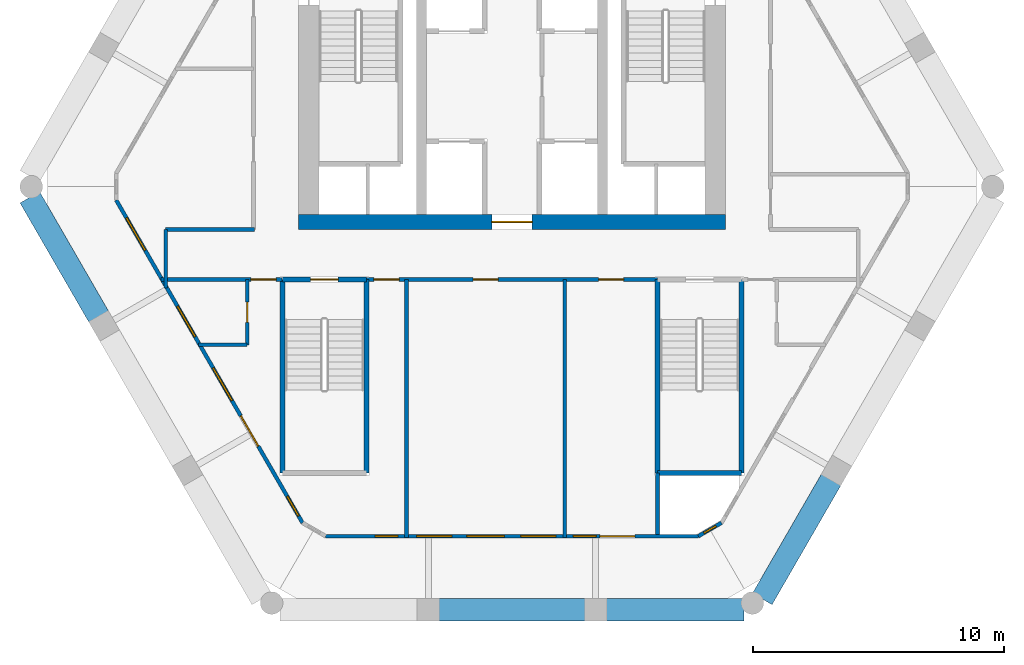
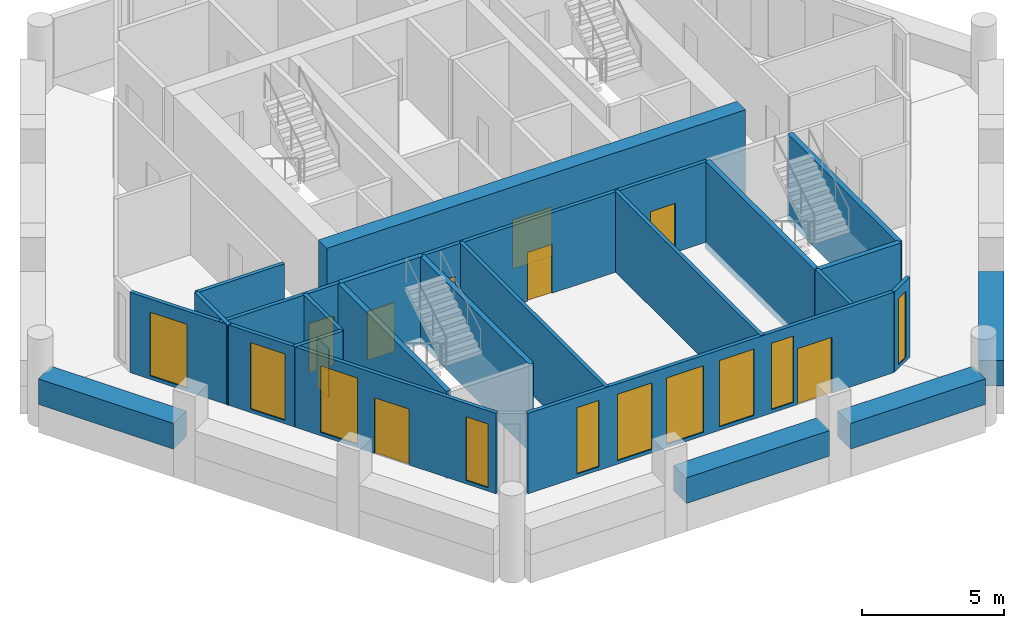
# One storey, part 2 of 6: 23 walls, 10 windows, 9 doors, 19 openings.
"""IFC4 building model written with IfcOpenShell, lengths in metres."""

from ifc_helpers import new_model, si_unit, direction, frame, frame_2d, origin, place, context, subcontext, project, spatial, rectangle, extrude, material, layer, layer_set, type_object, element, fill, save


model = new_model("IFC4")

# Units and contexts
model_context = context("Model", 3, precision=1e-05, world=origin(), true_north=direction((0.0, 1.0)))
body_context = subcontext(model_context, "Body", "Model", "MODEL_VIEW")
ifc_project = project(units=[si_unit("LENGTHUNIT", "METRE"), si_unit("AREAUNIT", "SQUARE_METRE"), si_unit("VOLUMEUNIT", "CUBIC_METRE"), si_unit("PLANEANGLEUNIT", "RADIAN"), si_unit("MASSUNIT", "GRAM", prefix="KILO")], contexts=[model_context])

# Site, building, storey
site_placement = place(None, origin())
site = spatial("IfcSite", under=ifc_project, at=site_placement, CompositionType="ELEMENT")
building_placement = place(site_placement, origin())
building = spatial("IfcBuilding", under=site, at=building_placement, Name="Ostrander Bayou Hotel Tower", CompositionType="ELEMENT")
storey_placement = place(building_placement, frame((0.0, 0.0, 218.25)))
storey = spatial("IfcBuildingStorey", under=building, at=storey_placement, Name="L54", CompositionType="ELEMENT", Elevation=218.25)

# Wall, opening, door
ifc_material_1 = material(Name="Concrete f'c 60 MPa", Category="concrete")
ifc_layer_1 = layer(ifc_material_1, 0.60009765625)
ifc_layer_set_1 = layer_set([ifc_layer_1], Name="CW10 core wall 600 mm f'c 60 MPa")
wall_type_1 = type_object("IfcWallType", Name="CW10 core wall 600 mm f'c 60 MPa", PredefinedType="SHEAR", material=ifc_layer_set_1)
wall_1_placement = place(storey_placement, frame((-8.5, -1.39990234375, -0.300048828125), z_axis=(0.0, 0.0, 1.0), x_axis=(1.0, 0.0, 0.0)))
wall_1 = element("IfcWall", 1, at=wall_1_placement, inside=storey, type_object=wall_type_1, Name="CW10 L54 S", PredefinedType="SHEAR", context=body_context, shape_type="SweptSolid", body=[
    extrude(rectangle(XDim=17.0, YDim=0.60009765625, at=frame_2d((8.5, 0.0))), origin(), (0.0, 0.0, 1.0), 3.75),
])
opening_1_placement = place(wall_1_placement, frame((7.699951171875, 0.0, 0.0)))
opening_1 = element("IfcOpeningElement", 2, at=opening_1_placement, cuts=wall_1, Name="Opening T53-005", PredefinedType="OPENING", context=body_context, shape_type="SweptSolid", body=[
    extrude(rectangle(XDim=1.60009765625, YDim=2.10009765625, at=frame_2d((0.800048828125, 1.050048828125))), frame((0.0, 0.300048828125, 0.0), z_axis=(0.0, -1.0, 0.0), x_axis=(1.0, 0.0, 0.0)), (0.0, 0.0, 1.0), 0.60009765625),
])
ifc_material_2 = material(Name="Timber door leaf", Category="wood")
door_type_1 = type_object("IfcDoorType", Name="D13 double door 1600 x 2100 mm, 1 hour", OperationType="SINGLE_SWING_LEFT", PredefinedType="DOOR", material=ifc_material_2)
door_1_placement = place(opening_1_placement, origin())
door_1 = element("IfcDoor", 3, at=door_1_placement, inside=storey, type_object=door_type_1, Name="dr:L54:005", OperationType="DOUBLE_DOOR_SINGLE_SWING", OverallHeight=2.10009765625, OverallWidth=1.60009765625, PredefinedType="DOOR", context=body_context, shape_type="SweptSolid", body=[
    extrude(rectangle(XDim=1.60009765625, YDim=2.10009765625, at=frame_2d((0.800048828125, 1.050048828125))), frame((0.0, 0.02490234375, 0.0), z_axis=(0.0, -1.0, 0.0), x_axis=(1.0, 0.0, 0.0)), (0.0, 0.0, 1.0), 0.050048828125),
])
fill(opening_1, door_1)

# Wall, openings, door, windows
ifc_material_3 = material(Name="Aluminium framed insulated wall", Category="aluminium")
ifc_layer_2 = layer(ifc_material_3, 0.14990234375)
ifc_layer_set_2 = layer_set([ifc_layer_2], Name="GW1 glass-line wall 150 mm")
wall_type_2 = type_object("IfcWallType", Name="GW1 glass-line wall 150 mm", PredefinedType="SOLIDWALL", material=ifc_layer_set_2)
wall_2_placement = place(storey_placement, frame((-15.771728515625, -0.532470703125, 0.0), z_axis=(0.0, 0.0, 1.0), x_axis=(0.500000919504, -0.866024872908, 0.0)))
wall_2 = element("IfcWall", 4, at=wall_2_placement, inside=storey, type_object=wall_type_2, Name="GW1 L54 SW 1", PredefinedType="SOLIDWALL", context=body_context, shape_type="SweptSolid", body=[
    extrude(rectangle(XDim=14.849609375, YDim=0.14990234375, at=frame_2d((7.4248046875, 0.0))), origin(), (0.0, 0.0, 1.0), 3.449951171875),
])
opening_2_placement = place(wall_2_placement, frame((4.8837890625, 0.0, 0.14990234375)))
opening_2 = element("IfcOpeningElement", 5, at=opening_2_placement, cuts=wall_2, Name="Opening W14", PredefinedType="OPENING", context=body_context, shape_type="SweptSolid", body=[
    extrude(rectangle(XDim=1.39990234375, YDim=2.85009765625, at=frame_2d((0.699951171875, 1.425048828125))), frame((0.0, 0.074951171875, 0.0), z_axis=(0.0, -1.0, 0.0), x_axis=(1.0, 0.0, 0.0)), (0.0, 0.0, 1.0), 0.14990234375),
])
opening_3_placement = place(wall_2_placement, frame((7.724609375, 0.0, 0.14990234375)))
opening_3 = element("IfcOpeningElement", 6, at=opening_3_placement, cuts=wall_2, Name="Opening W4", PredefinedType="OPENING", context=body_context, shape_type="SweptSolid", body=[
    extrude(rectangle(XDim=1.5, YDim=2.85009765625, at=frame_2d((0.75, 1.425048828125))), frame((0.0, 0.074951171875, 0.0), z_axis=(0.0, -1.0, 0.0), x_axis=(1.0, 0.0, 0.0)), (0.0, 0.0, 1.0), 0.14990234375),
])
opening_4_placement = place(wall_2_placement, frame((9.9248046875, 0.0, 0.0)))
opening_4 = element("IfcOpeningElement", 7, at=opening_4_placement, cuts=wall_2, Name="Opening T53-800", PredefinedType="OPENING", context=body_context, shape_type="SweptSolid", body=[
    extrude(rectangle(XDim=1.39990234375, YDim=2.39990234375, at=frame_2d((0.699951171875, 1.199951171875))), frame((0.0, 0.074951171875, 0.0), z_axis=(0.0, -1.0, 0.0), x_axis=(1.0, 0.0, 0.0)), (0.0, 0.0, 1.0), 0.14990234375),
])
opening_5_placement = place(wall_2_placement, frame((0.8125, 0.0, 0.14990234375)))
opening_5 = element("IfcOpeningElement", 8, at=opening_5_placement, cuts=wall_2, Name="Opening W4", PredefinedType="OPENING", context=body_context, shape_type="SweptSolid", body=[
    extrude(rectangle(XDim=1.5, YDim=2.72998046875, at=frame_2d((0.75, 1.364990234375))), frame((0.0, 0.074951171875, 0.0), z_axis=(0.0, -1.0, 0.0), x_axis=(1.0, 0.0, 0.0)), (0.0, 0.0, 1.0), 0.14990234375),
])
opening_6_placement = place(wall_2_placement, frame((13.631591796875, 0.0, 0.14990234375)))
opening_6 = element("IfcOpeningElement", 9, at=opening_6_placement, cuts=wall_2, Name="Opening W18", PredefinedType="OPENING", context=body_context, shape_type="SweptSolid", body=[
    extrude(rectangle(XDim=0.89990234375, YDim=2.72998046875, at=frame_2d((0.449951171875, 1.364990234375))), frame((0.0, 0.074951171875, 0.0), z_axis=(0.0, -1.0, 0.0), x_axis=(1.0, 0.0, 0.0)), (0.0, 0.0, 1.0), 0.14990234375),
])
ifc_material_4 = material(Name="Aluminium and clear glass", Category="aluminium")
door_type_2 = type_object("IfcDoorType", Name="SD4 sliding glass door 1400 mm, zone 4", OperationType="SLIDING_TO_LEFT", PredefinedType="DOOR", material=ifc_material_4)
door_2_placement = place(opening_4_placement, origin())
door_2 = element("IfcDoor", 10, at=door_2_placement, inside=storey, type_object=door_type_2, Name="SD4 L54 SW 2", OperationType="SLIDING_TO_RIGHT", OverallHeight=2.39990234375, OverallWidth=1.39990234375, PredefinedType="DOOR", context=body_context, shape_type="SweptSolid", body=[
    extrude(rectangle(XDim=1.39990234375, YDim=2.39990234375, at=frame_2d((0.699951171875, 1.199951171875))), frame((0.0, 0.02490234375, 0.0), z_axis=(0.0, -1.0, 0.0), x_axis=(1.0, 0.0, 0.0)), (0.0, 0.0, 1.0), 0.050048828125),
])
fill(opening_4, door_2)
ifc_material_5 = material(Name="Aluminium and clear glass", Category="aluminium")
window_type_1 = type_object("IfcWindowType", Name="W14 fixed window 1400 mm, bath bay, zone 4", PartitioningType="SINGLE_PANEL", PredefinedType="WINDOW", material=ifc_material_5)
window_1_placement = place(opening_2_placement, origin())
window_1 = element("IfcWindow", 11, at=window_1_placement, inside=storey, type_object=window_type_1, Name="W14 L54 SW 1", OverallHeight=2.85009765625, OverallWidth=1.39990234375, PartitioningType="SINGLE_PANEL", PredefinedType="WINDOW", context=body_context, shape_type="SweptSolid", body=[
    extrude(rectangle(XDim=1.39990234375, YDim=2.85009765625, at=frame_2d((0.699951171875, 1.425048828125))), frame((0.0, 0.030029296875, 0.0), z_axis=(0.0, -1.0, 0.0), x_axis=(1.0, 0.0, 0.0)), (0.0, 0.0, 1.0), 0.06005859375),
])
fill(opening_2, window_1)
ifc_material_6 = material(Name="Aluminium and clear glass", Category="aluminium")
window_type_2 = type_object("IfcWindowType", Name="W18 window 900 mm, zone 4", PartitioningType="SINGLE_PANEL", PredefinedType="WINDOW", material=ifc_material_6)
window_2_placement = place(opening_6_placement, origin())
window_2 = element("IfcWindow", 12, at=window_2_placement, inside=storey, type_object=window_type_2, Name="W18 L54 SW E22", OverallHeight=2.72998046875, OverallWidth=0.89990234375, PartitioningType="SINGLE_PANEL", PredefinedType="WINDOW", context=body_context, shape_type="SweptSolid", body=[
    extrude(rectangle(XDim=0.89990234375, YDim=2.72998046875, at=frame_2d((0.449951171875, 1.364990234375))), frame((0.0, 0.030029296875, 0.0), z_axis=(0.0, -1.0, 0.0), x_axis=(1.0, 0.0, 0.0)), (0.0, 0.0, 1.0), 0.06005859375),
])
fill(opening_6, window_2)
ifc_material_7 = material(Name="Aluminium and clear glass", Category="aluminium")
window_type_3 = type_object("IfcWindowType", Name="W4 fixed window 1500 mm, zone 4", PartitioningType="SINGLE_PANEL", PredefinedType="WINDOW", material=ifc_material_7)
window_3_placement = place(opening_3_placement, origin())
window_3 = element("IfcWindow", 13, at=window_3_placement, inside=storey, type_object=window_type_3, Name="W4 L54 SW 2", OverallHeight=2.85009765625, OverallWidth=1.5, PartitioningType="SINGLE_PANEL", PredefinedType="WINDOW", context=body_context, shape_type="SweptSolid", body=[
    extrude(rectangle(XDim=1.5, YDim=2.85009765625, at=frame_2d((0.75, 1.425048828125))), frame((0.0, 0.030029296875, 0.0), z_axis=(0.0, -1.0, 0.0), x_axis=(1.0, 0.0, 0.0)), (0.0, 0.0, 1.0), 0.06005859375),
])
fill(opening_3, window_3)
window_4_placement = place(opening_5_placement, origin())
window_4 = element("IfcWindow", 14, at=window_4_placement, inside=storey, type_object=window_type_3, Name="W4 L54 SW E11", OverallHeight=2.72998046875, OverallWidth=1.5, PartitioningType="SINGLE_PANEL", PredefinedType="WINDOW", context=body_context, shape_type="SweptSolid", body=[
    extrude(rectangle(XDim=1.5, YDim=2.72998046875, at=frame_2d((0.75, 1.364990234375))), frame((0.0, 0.030029296875, 0.0), z_axis=(0.0, -1.0, 0.0), x_axis=(1.0, 0.0, 0.0)), (0.0, 0.0, 1.0), 0.06005859375),
])
fill(opening_5, window_4)

wall_3_placement = place(storey_placement, frame((-7.4248046875, -13.925048828125, 0.0), z_axis=(0.0, 0.0, 1.0), x_axis=(1.0, 0.0, 0.0)))
wall_3 = element("IfcWall", 15, at=wall_3_placement, inside=storey, type_object=wall_type_2, Name="GW1 L54 S 1", PredefinedType="SOLIDWALL", context=body_context, shape_type="SweptSolid", body=[
    extrude(rectangle(XDim=14.849609375, YDim=0.14990234375, at=frame_2d((7.4248046875, 0.0))), origin(), (0.0, 0.0, 1.0), 3.449951171875),
])
opening_7_placement = place(wall_3_placement, frame((1.974609375, 0.0, 0.14990234375)))
opening_7 = element("IfcOpeningElement", 16, at=opening_7_placement, cuts=wall_3, Name="Opening W18", PredefinedType="OPENING", context=body_context, shape_type="SweptSolid", body=[
    extrude(rectangle(XDim=0.89990234375, YDim=2.85009765625, at=frame_2d((0.449951171875, 1.425048828125))), frame((0.0, 0.074951171875, 0.0), z_axis=(0.0, -1.0, 0.0), x_axis=(1.0, 0.0, 0.0)), (0.0, 0.0, 1.0), 0.14990234375),
])
opening_8_placement = place(wall_3_placement, frame((3.624755859375, 0.0, 0.14990234375)))
opening_8 = element("IfcOpeningElement", 17, at=opening_8_placement, cuts=wall_3, Name="Opening W14", PredefinedType="OPENING", context=body_context, shape_type="SweptSolid", body=[
    extrude(rectangle(XDim=1.39990234375, YDim=2.85009765625, at=frame_2d((0.699951171875, 1.425048828125))), frame((0.0, 0.074951171875, 0.0), z_axis=(0.0, -1.0, 0.0), x_axis=(1.0, 0.0, 0.0)), (0.0, 0.0, 1.0), 0.14990234375),
])
opening_9_placement = place(wall_3_placement, frame((5.624755859375, 0.0, 0.14990234375)))
opening_9 = element("IfcOpeningElement", 18, at=opening_9_placement, cuts=wall_3, Name="Opening W4", PredefinedType="OPENING", context=body_context, shape_type="SweptSolid", body=[
    extrude(rectangle(XDim=1.5, YDim=2.85009765625, at=frame_2d((0.75, 1.425048828125))), frame((0.0, 0.074951171875, 0.0), z_axis=(0.0, -1.0, 0.0), x_axis=(1.0, 0.0, 0.0)), (0.0, 0.0, 1.0), 0.14990234375),
])
opening_10_placement = place(wall_3_placement, frame((7.774658203125, 0.0, 0.14990234375)))
opening_10 = element("IfcOpeningElement", 19, at=opening_10_placement, cuts=wall_3, Name="Opening W14", PredefinedType="OPENING", context=body_context, shape_type="SweptSolid", body=[
    extrude(rectangle(XDim=1.39990234375, YDim=2.85009765625, at=frame_2d((0.699951171875, 1.425048828125))), frame((0.0, 0.074951171875, 0.0), z_axis=(0.0, -1.0, 0.0), x_axis=(1.0, 0.0, 0.0)), (0.0, 0.0, 1.0), 0.14990234375),
])
opening_11_placement = place(wall_3_placement, frame((9.874755859375, 0.0, 0.14990234375)))
opening_11 = element("IfcOpeningElement", 20, at=opening_11_placement, cuts=wall_3, Name="Opening W18", PredefinedType="OPENING", context=body_context, shape_type="SweptSolid", body=[
    extrude(rectangle(XDim=0.89990234375, YDim=2.85009765625, at=frame_2d((0.449951171875, 1.425048828125))), frame((0.0, 0.074951171875, 0.0), z_axis=(0.0, -1.0, 0.0), x_axis=(1.0, 0.0, 0.0)), (0.0, 0.0, 1.0), 0.14990234375),
])
opening_12_placement = place(wall_3_placement, frame((10.9248046875, 0.0, 0.0)))
opening_12 = element("IfcOpeningElement", 21, at=opening_12_placement, cuts=wall_3, Name="Opening T53-801", PredefinedType="OPENING", context=body_context, shape_type="SweptSolid", body=[
    extrude(rectangle(XDim=1.39990234375, YDim=2.39990234375, at=frame_2d((0.699951171875, 1.199951171875))), frame((0.0, 0.074951171875, 0.0), z_axis=(0.0, -1.0, 0.0), x_axis=(1.0, 0.0, 0.0)), (0.0, 0.0, 1.0), 0.14990234375),
])
door_3_placement = place(opening_12_placement, origin())
door_3 = element("IfcDoor", 22, at=door_3_placement, inside=storey, type_object=door_type_2, Name="SD4 L54 S 3", OperationType="SLIDING_TO_LEFT", OverallHeight=2.39990234375, OverallWidth=1.39990234375, PredefinedType="DOOR", context=body_context, shape_type="SweptSolid", body=[
    extrude(rectangle(XDim=1.39990234375, YDim=2.39990234375, at=frame_2d((0.699951171875, 1.199951171875))), frame((0.0, 0.02490234375, 0.0), z_axis=(0.0, -1.0, 0.0), x_axis=(1.0, 0.0, 0.0)), (0.0, 0.0, 1.0), 0.050048828125),
])
fill(opening_12, door_3)
window_5_placement = place(opening_8_placement, origin())
window_5 = element("IfcWindow", 23, at=window_5_placement, inside=storey, type_object=window_type_1, Name="W14 L54 S 1", OverallHeight=2.85009765625, OverallWidth=1.39990234375, PartitioningType="SINGLE_PANEL", PredefinedType="WINDOW", context=body_context, shape_type="SweptSolid", body=[
    extrude(rectangle(XDim=1.39990234375, YDim=2.85009765625, at=frame_2d((0.699951171875, 1.425048828125))), frame((0.0, 0.030029296875, 0.0), z_axis=(0.0, -1.0, 0.0), x_axis=(1.0, 0.0, 0.0)), (0.0, 0.0, 1.0), 0.06005859375),
])
fill(opening_8, window_5)
window_6_placement = place(opening_10_placement, origin())
window_6 = element("IfcWindow", 24, at=window_6_placement, inside=storey, type_object=window_type_1, Name="W14 L54 S 2", OverallHeight=2.85009765625, OverallWidth=1.39990234375, PartitioningType="SINGLE_PANEL", PredefinedType="WINDOW", context=body_context, shape_type="SweptSolid", body=[
    extrude(rectangle(XDim=1.39990234375, YDim=2.85009765625, at=frame_2d((0.699951171875, 1.425048828125))), frame((0.0, 0.030029296875, 0.0), z_axis=(0.0, -1.0, 0.0), x_axis=(1.0, 0.0, 0.0)), (0.0, 0.0, 1.0), 0.06005859375),
])
fill(opening_10, window_6)
window_7_placement = place(opening_7_placement, origin())
window_7 = element("IfcWindow", 25, at=window_7_placement, inside=storey, type_object=window_type_2, Name="W18 L54 S 1", OverallHeight=2.85009765625, OverallWidth=0.89990234375, PartitioningType="SINGLE_PANEL", PredefinedType="WINDOW", context=body_context, shape_type="SweptSolid", body=[
    extrude(rectangle(XDim=0.89990234375, YDim=2.85009765625, at=frame_2d((0.449951171875, 1.425048828125))), frame((0.0, 0.030029296875, 0.0), z_axis=(0.0, -1.0, 0.0), x_axis=(1.0, 0.0, 0.0)), (0.0, 0.0, 1.0), 0.06005859375),
])
fill(opening_7, window_7)
window_8_placement = place(opening_11_placement, origin())
window_8 = element("IfcWindow", 26, at=window_8_placement, inside=storey, type_object=window_type_2, Name="W18 L54 S 3", OverallHeight=2.85009765625, OverallWidth=0.89990234375, PartitioningType="SINGLE_PANEL", PredefinedType="WINDOW", context=body_context, shape_type="SweptSolid", body=[
    extrude(rectangle(XDim=0.89990234375, YDim=2.85009765625, at=frame_2d((0.449951171875, 1.425048828125))), frame((0.0, 0.030029296875, 0.0), z_axis=(0.0, -1.0, 0.0), x_axis=(1.0, 0.0, 0.0)), (0.0, 0.0, 1.0), 0.06005859375),
])
fill(opening_11, window_8)
window_9_placement = place(opening_9_placement, origin())
window_9 = element("IfcWindow", 27, at=window_9_placement, inside=storey, type_object=window_type_3, Name="W4 L54 S 2", OverallHeight=2.85009765625, OverallWidth=1.5, PartitioningType="SINGLE_PANEL", PredefinedType="WINDOW", context=body_context, shape_type="SweptSolid", body=[
    extrude(rectangle(XDim=1.5, YDim=2.85009765625, at=frame_2d((0.75, 1.425048828125))), frame((0.0, 0.030029296875, 0.0), z_axis=(0.0, -1.0, 0.0), x_axis=(1.0, 0.0, 0.0)), (0.0, 0.0, 1.0), 0.06005859375),
])
fill(opening_9, window_9)

# Wall, opening, window
wall_4_placement = place(storey_placement, frame((7.4248046875, -13.925048828125, 0.0), z_axis=(0.0, 0.0, 1.0), x_axis=(0.865990848561, 0.500059846627, 0.0)))
wall_4 = element("IfcWall", 28, at=wall_4_placement, inside=storey, type_object=wall_type_2, Name="GW1 L54 corner 4", PredefinedType="SOLIDWALL", context=body_context, shape_type="SweptSolid", body=[
    extrude(rectangle(XDim=1.064697265625, YDim=0.14990234375, at=frame_2d((0.5322265625, 0.0))), origin(), (0.0, 0.0, 1.0), 3.449951171875),
])
opening_13_placement = place(wall_4_placement, frame((0.257568359375, 0.0, 0.14990234375)))
opening_13 = element("IfcOpeningElement", 29, at=opening_13_placement, cuts=wall_4, Name="Opening W19", PredefinedType="OPENING", context=body_context, shape_type="SweptSolid", body=[
    extrude(rectangle(XDim=0.550048828125, YDim=2.85009765625, at=frame_2d((0.27490234375, 1.425048828125))), frame((0.0, 0.074951171875, 0.0), z_axis=(0.0, -1.0, 0.0), x_axis=(1.0, 0.0, 0.0)), (0.0, 0.0, 1.0), 0.14990234375),
])
ifc_material_8 = material(Name="Aluminium and clear glass", Category="aluminium")
window_type_4 = type_object("IfcWindowType", Name="W19 corner window 550 mm", PartitioningType="SINGLE_PANEL", PredefinedType="WINDOW", material=ifc_material_8)
window_10_placement = place(opening_13_placement, origin())
window_10 = element("IfcWindow", 30, at=window_10_placement, inside=storey, type_object=window_type_4, Name="W19 L54 corner 4", OverallHeight=2.85009765625, OverallWidth=0.550048828125, PartitioningType="SINGLE_PANEL", PredefinedType="WINDOW", context=body_context, shape_type="SweptSolid", body=[
    extrude(rectangle(XDim=0.550048828125, YDim=2.85009765625, at=frame_2d((0.27490234375, 1.425048828125))), frame((0.0, 0.030029296875, 0.0), z_axis=(0.0, -1.0, 0.0), x_axis=(1.0, 0.0, 0.0)), (0.0, 0.0, 1.0), 0.06005859375),
])
fill(opening_13, window_10)

# Walls
ifc_material_9 = material(Name="Concrete f'c 40 MPa", Category="concrete")
ifc_layer_3 = layer(ifc_material_9, 0.89990234375)
ifc_layer_set_3 = layer_set([ifc_layer_3], Name="PA1 stone-faced parapet 900 mm")
wall_type_3 = type_object("IfcWallType", Name="PA1 stone-faced parapet 900 mm", PredefinedType="PARAPET", material=ifc_layer_set_3)
wall_5_placement = place(storey_placement, frame((-2.909423828125, -16.85009765625, 0.0), z_axis=(0.0, 0.0, 1.0), x_axis=(1.0, 0.0, 0.0)))
element("IfcWall", 31, at=wall_5_placement, inside=storey, type_object=wall_type_3, Name="PA1 L54 S-2", PredefinedType="PARAPET", context=body_context, shape_type="SweptSolid", body=[
    extrude(rectangle(XDim=5.81884765625, YDim=0.89990234375, at=frame_2d((2.909423828125, 0.0))), origin(), (0.0, 0.0, 1.0), 1.10009765625),
])
wall_6_placement = place(storey_placement, frame((3.74951171875, -16.85009765625, 0.0), z_axis=(0.0, 0.0, 1.0), x_axis=(1.0, 0.0, 0.0)))
element("IfcWall", 32, at=wall_6_placement, inside=storey, type_object=wall_type_3, Name="PA1 L54 S-3", PredefinedType="PARAPET", context=body_context, shape_type="SweptSolid", body=[
    extrude(rectangle(XDim=5.49169921875, YDim=0.89990234375, at=frame_2d((2.745849609375, 0.0))), origin(), (0.0, 0.0, 1.0), 1.10009765625),
])
ifc_material_10 = material(Name="Limestone masonry", Category="masonry")
ifc_layer_4 = layer(ifc_material_10, 0.89990234375)
ifc_layer_set_4 = layer_set([ifc_layer_4], Name="PA2 limestone parapet 900 mm")
wall_type_4 = type_object("IfcWallType", Name="PA2 limestone parapet 900 mm", PredefinedType="PARAPET", material=ifc_layer_set_4)
for number, where, z_axis, x_axis, name in (
    (33, (-19.213134765625, -0.422119140625, 0.0), (0.0, 0.0, 1.0), (0.50000722722, -0.866021231107, 0.0), "PA2 L54 SW-1"),
    (34, (9.971923828125, -16.427978515625, 0.0), (0.0, 0.0, 1.0), (0.50000722722, 0.866021231107, 0.0), "PA2 L54 SE-1"),
):
    element("IfcWall", number, at=place(storey_placement, frame(where, z_axis=z_axis, x_axis=x_axis)), inside=storey, type_object=wall_type_4, Name=name, PredefinedType="PARAPET", context=body_context, shape_type="SweptSolid", body=[
        extrude(rectangle(XDim=5.49169921875, YDim=0.89990234375, at=frame_2d((2.745849609375, 0.0))), origin(), (0.0, 0.0, 1.0), 1.10009765625),
    ])
ifc_material_11 = material(Name="Gypsum board partition", Category="finish")
ifc_layer_5 = layer(ifc_material_11, 0.14990234375)
ifc_layer_set_5 = layer_set([ifc_layer_5], Name="PT7 riser wall 150 mm, 2 hour")
wall_type_5 = type_object("IfcWallType", Name="PT7 riser wall 150 mm, 2 hour", PredefinedType="PARTITIONING", material=ifc_layer_set_5)
wall_7_placement = place(storey_placement, frame((5.800048828125, -11.39990234375, 0.0), z_axis=(0.0, 0.0, 1.0), x_axis=(0.0, -1.0, 0.0)))
element("IfcWall", 35, at=wall_7_placement, inside=storey, type_object=wall_type_5, Name="cs:L54:019", PredefinedType="PARTITIONING", context=body_context, shape_type="SweptSolid", body=[
    extrude(rectangle(XDim=2.4501953125, YDim=0.14990234375, at=frame_2d((1.22509765625, 0.0))), origin(), (0.0, 0.0, 1.0), 3.449951171875),
])
ifc_material_12 = material(Name="Gypsum board partition", Category="finish")
ifc_layer_6 = layer(ifc_material_12, 0.14990234375)
ifc_layer_set_6 = layer_set([ifc_layer_6], Name="PT8 service band wall 150 mm, 1 hour")
wall_type_6 = type_object("IfcWallType", Name="PT8 service band wall 150 mm, 1 hour", PredefinedType="PARTITIONING", material=ifc_layer_set_6)
wall_8_placement = place(storey_placement, frame((-12.493896484375, -6.300048828125, 0.0), z_axis=(0.0, 0.0, 1.0), x_axis=(1.0, 0.0, 0.0)))
element("IfcWall", 36, at=wall_8_placement, inside=storey, type_object=wall_type_6, Name="gw:L54:001", PredefinedType="PARTITIONING", context=body_context, shape_type="SweptSolid", body=[
    extrude(rectangle(XDim=1.94384765625, YDim=0.14990234375, at=frame_2d((0.971923828125, 0.0))), origin(), (0.0, 0.0, 1.0), 3.449951171875),
])

# Wall, opening, door
wall_9_placement = place(storey_placement, frame((-13.9951171875, -3.699951171875, 0.0), z_axis=(0.0, 0.0, 1.0), x_axis=(1.0, 0.0, 0.0)))
wall_9 = element("IfcWall", 37, at=wall_9_placement, inside=storey, type_object=wall_type_6, Name="gw:L54:003", PredefinedType="PARTITIONING", context=body_context, shape_type="SweptSolid", body=[
    extrude(rectangle(XDim=4.835205078125, YDim=0.14990234375, at=frame_2d((2.41748046875, 0.0))), origin(), (0.0, 0.0, 1.0), 3.449951171875),
])
opening_14_placement = place(wall_9_placement, frame((3.594970703125, 0.0, 0.0)))
opening_14 = element("IfcOpeningElement", 38, at=opening_14_placement, cuts=wall_9, Name="Opening T53-402", PredefinedType="OPENING", context=body_context, shape_type="SweptSolid", body=[
    extrude(rectangle(XDim=1.0, YDim=2.10009765625, at=frame_2d((0.5, 1.050048828125))), frame((0.0, 0.074951171875, 0.0), z_axis=(0.0, -1.0, 0.0), x_axis=(1.0, 0.0, 0.0)), (0.0, 0.0, 1.0), 0.14990234375),
])
ifc_material_13 = material(Name="Timber door leaf", Category="wood")
door_type_3 = type_object("IfcDoorType", Name="D1 guest room door 1000 x 2100 mm, 30 minute", OperationType="SINGLE_SWING_LEFT", PredefinedType="DOOR", material=ifc_material_13)
door_4_placement = place(opening_14_placement, origin())
door_4 = element("IfcDoor", 39, at=door_4_placement, inside=storey, type_object=door_type_3, Name="dr:L54:402", OperationType="SINGLE_SWING_RIGHT", OverallHeight=2.10009765625, OverallWidth=1.0, PredefinedType="DOOR", context=body_context, shape_type="SweptSolid", body=[
    extrude(rectangle(XDim=1.0, YDim=2.10009765625, at=frame_2d((0.5, 1.050048828125))), frame((0.0, 0.02490234375, 0.0), z_axis=(0.0, -1.0, 0.0), x_axis=(1.0, 0.0, 0.0)), (0.0, 0.0, 1.0), 0.050048828125),
])
fill(opening_14, door_4)

# Wall, openings, doors
wall_10_placement = place(storey_placement, frame((-5.7900390625, -3.699951171875, 0.0), z_axis=(0.0, 0.0, 1.0), x_axis=(1.0, 0.0, 0.0)))
wall_10 = element("IfcWall", 40, at=wall_10_placement, inside=storey, type_object=wall_type_6, Name="gw:L54:004", PredefinedType="PARTITIONING", context=body_context, shape_type="SweptSolid", body=[
    extrude(rectangle(XDim=11.580078125, YDim=0.14990234375, at=frame_2d((5.7900390625, 0.0))), origin(), (0.0, 0.0, 1.0), 3.449951171875),
])
opening_15_placement = place(wall_10_placement, frame((4.239990234375, 0.0, 0.0)))
opening_15 = element("IfcOpeningElement", 41, at=opening_15_placement, cuts=wall_10, Name="Opening T53-400", PredefinedType="OPENING", context=body_context, shape_type="SweptSolid", body=[
    extrude(rectangle(XDim=1.0, YDim=2.10009765625, at=frame_2d((0.5, 1.050048828125))), frame((0.0, 0.074951171875, 0.0), z_axis=(0.0, -1.0, 0.0), x_axis=(1.0, 0.0, 0.0)), (0.0, 0.0, 1.0), 0.14990234375),
])
opening_16_placement = place(wall_10_placement, frame((0.2900390625, 0.0, 0.0)))
opening_16 = element("IfcOpeningElement", 42, at=opening_16_placement, cuts=wall_10, Name="Opening T53-401", PredefinedType="OPENING", context=body_context, shape_type="SweptSolid", body=[
    extrude(rectangle(XDim=1.0, YDim=2.10009765625, at=frame_2d((0.5, 1.050048828125))), frame((0.0, 0.074951171875, 0.0), z_axis=(0.0, -1.0, 0.0), x_axis=(1.0, 0.0, 0.0)), (0.0, 0.0, 1.0), 0.14990234375),
])
opening_17_placement = place(wall_10_placement, frame((9.239990234375, 0.0, 0.0)))
opening_17 = element("IfcOpeningElement", 43, at=opening_17_placement, cuts=wall_10, Name="Opening T53-404", PredefinedType="OPENING", context=body_context, shape_type="SweptSolid", body=[
    extrude(rectangle(XDim=1.0, YDim=2.10009765625, at=frame_2d((0.5, 1.050048828125))), frame((0.0, 0.074951171875, 0.0), z_axis=(0.0, -1.0, 0.0), x_axis=(1.0, 0.0, 0.0)), (0.0, 0.0, 1.0), 0.14990234375),
])
ifc_material_14 = material(Name="Timber door leaf", Category="wood")
door_type_4 = type_object("IfcDoorType", Name="D15 room door 1000 x 2100 mm", OperationType="SINGLE_SWING_LEFT", PredefinedType="DOOR", material=ifc_material_14)
door_5_placement = place(opening_15_placement, origin())
door_5 = element("IfcDoor", 44, at=door_5_placement, inside=storey, type_object=door_type_4, Name="dr:L54:400", OperationType="SINGLE_SWING_LEFT", OverallHeight=2.10009765625, OverallWidth=1.0, PredefinedType="DOOR", context=body_context, shape_type="SweptSolid", body=[
    extrude(rectangle(XDim=1.0, YDim=2.10009765625, at=frame_2d((0.5, 1.050048828125))), frame((0.0, 0.02490234375, 0.0), z_axis=(0.0, -1.0, 0.0), x_axis=(1.0, 0.0, 0.0)), (0.0, 0.0, 1.0), 0.050048828125),
])
fill(opening_15, door_5)
door_6_placement = place(opening_16_placement, origin())
door_6 = element("IfcDoor", 45, at=door_6_placement, inside=storey, type_object=door_type_4, Name="dr:L54:401", OperationType="SINGLE_SWING_RIGHT", OverallHeight=2.10009765625, OverallWidth=1.0, PredefinedType="DOOR", context=body_context, shape_type="SweptSolid", body=[
    extrude(rectangle(XDim=1.0, YDim=2.10009765625, at=frame_2d((0.5, 1.050048828125))), frame((0.0, 0.02490234375, 0.0), z_axis=(0.0, -1.0, 0.0), x_axis=(1.0, 0.0, 0.0)), (0.0, 0.0, 1.0), 0.050048828125),
])
fill(opening_16, door_6)
door_7_placement = place(opening_17_placement, origin())
door_7 = element("IfcDoor", 46, at=door_7_placement, inside=storey, type_object=door_type_4, Name="dr:L54:404", OperationType="SINGLE_SWING_LEFT", OverallHeight=2.10009765625, OverallWidth=1.0, PredefinedType="DOOR", context=body_context, shape_type="SweptSolid", body=[
    extrude(rectangle(XDim=1.0, YDim=2.10009765625, at=frame_2d((0.5, 1.050048828125))), frame((0.0, 0.02490234375, 0.0), z_axis=(0.0, -1.0, 0.0), x_axis=(1.0, 0.0, 0.0)), (0.0, 0.0, 1.0), 0.050048828125),
])
fill(opening_17, door_7)

# Walls
wall_11_placement = place(storey_placement, frame((-13.800048828125, -1.699951171875, 0.0), z_axis=(0.0, 0.0, 1.0), x_axis=(1.0, 0.0, 0.0)))
element("IfcWall", 47, at=wall_11_placement, inside=storey, type_object=wall_type_6, Name="gw:L54:006", PredefinedType="PARTITIONING", context=body_context, shape_type="SweptSolid", body=[
    extrude(rectangle(XDim=3.5400390625, YDim=0.14990234375, at=frame_2d((1.77001953125, 0.0))), origin(), (0.0, 0.0, 1.0), 3.449951171875),
])
for number, where, z_axis, x_axis, name in (
    (48, (2.10009765625, -13.969970703125, 0.0), (0.0, 0.0, 1.0), (0.0, 1.0, 0.0), "gw:L54:014"),
    (49, (-4.199951171875, -13.969970703125, 0.0), (0.0, 0.0, 1.0), (0.0, 1.0, 0.0), "gw:L54:015"),
):
    element("IfcWall", number, at=place(storey_placement, frame(where, z_axis=z_axis, x_axis=x_axis)), inside=storey, type_object=wall_type_6, Name=name, PredefinedType="PARTITIONING", context=body_context, shape_type="SweptSolid", body=[
        extrude(rectangle(XDim=10.27001953125, YDim=0.14990234375, at=frame_2d((5.135009765625, 0.0))), origin(), (0.0, 0.0, 1.0), 3.449951171875),
    ])

# Wall, opening, door
wall_12_placement = place(storey_placement, frame((-10.550048828125, -6.300048828125, 0.0), z_axis=(0.0, 0.0, 1.0), x_axis=(0.0, 1.0, 0.0)))
wall_12 = element("IfcWall", 50, at=wall_12_placement, inside=storey, type_object=wall_type_6, Name="gw:L54:017", PredefinedType="PARTITIONING", context=body_context, shape_type="SweptSolid", body=[
    extrude(rectangle(XDim=2.60009765625, YDim=0.14990234375, at=frame_2d((1.300048828125, 0.0))), origin(), (0.0, 0.0, 1.0), 3.449951171875),
])
opening_18_placement = place(wall_12_placement, frame((0.89990234375, 0.0, 0.0)))
opening_18 = element("IfcOpeningElement", 51, at=opening_18_placement, cuts=wall_12, Name="Opening T53-403", PredefinedType="OPENING", context=body_context, shape_type="SweptSolid", body=[
    extrude(rectangle(XDim=0.800048828125, YDim=2.10009765625, at=frame_2d((0.39990234375, 1.050048828125))), frame((0.0, 0.074951171875, 0.0), z_axis=(0.0, -1.0, 0.0), x_axis=(1.0, 0.0, 0.0)), (0.0, 0.0, 1.0), 0.14990234375),
])
ifc_material_15 = material(Name="Timber door leaf", Category="wood")
door_type_5 = type_object("IfcDoorType", Name="D2 bathroom door 800 x 2100 mm", OperationType="SINGLE_SWING_LEFT", PredefinedType="DOOR", material=ifc_material_15)
door_8_placement = place(opening_18_placement, origin())
door_8 = element("IfcDoor", 52, at=door_8_placement, inside=storey, type_object=door_type_5, Name="dr:L54:403", OperationType="SINGLE_SWING_RIGHT", OverallHeight=2.10009765625, OverallWidth=0.800048828125, PredefinedType="DOOR", context=body_context, shape_type="SweptSolid", body=[
    extrude(rectangle(XDim=0.800048828125, YDim=2.10009765625, at=frame_2d((0.39990234375, 1.050048828125))), frame((0.0, 0.02490234375, 0.0), z_axis=(0.0, -1.0, 0.0), x_axis=(1.0, 0.0, 0.0)), (0.0, 0.0, 1.0), 0.050048828125),
])
fill(opening_18, door_8)

# Walls
wall_13_placement = place(storey_placement, frame((-13.800048828125, -4.0380859375, 0.0), z_axis=(0.0, 0.0, 1.0), x_axis=(0.0, 1.0, 0.0)))
element("IfcWall", 53, at=wall_13_placement, inside=storey, type_object=wall_type_6, Name="gw:L54:018", PredefinedType="PARTITIONING", context=body_context, shape_type="SweptSolid", body=[
    extrude(rectangle(XDim=2.338134765625, YDim=0.14990234375, at=frame_2d((1.1689453125, 0.0))), origin(), (0.0, 0.0, 1.0), 3.449951171875),
])
ifc_material_16 = material(Name="Concrete f'c 45 MPa", Category="concrete")
ifc_layer_7 = layer(ifc_material_16, 0.199951171875)
ifc_layer_set_7 = layer_set([ifc_layer_7], Name="SW5 stair enclosure wall 200 mm f'c 45 MPa")
wall_type_7 = type_object("IfcWallType", Name="SW5 stair enclosure wall 200 mm f'c 45 MPa", PredefinedType="SOLIDWALL", material=ifc_layer_set_7)
for number, where, z_axis, x_axis, name in (
    (54, (5.800048828125, -3.699951171875, -0.300048828125), (0.0, 0.0, 1.0), (0.0, -1.0, 0.0), "cs:L54:016"),
    (55, (9.14990234375, -3.699951171875, -0.300048828125), (0.0, 0.0, 1.0), (0.0, -1.0, 0.0), "cs:L54:017"),
):
    element("IfcWall", number, at=place(storey_placement, frame(where, z_axis=z_axis, x_axis=x_axis)), inside=storey, type_object=wall_type_7, Name=name, PredefinedType="SOLIDWALL", context=body_context, shape_type="SweptSolid", body=[
        extrude(rectangle(XDim=7.699951171875, YDim=0.199951171875, at=frame_2d((3.85009765625, 0.0))), origin(), (0.0, 0.0, 1.0), 3.75),
    ])
wall_14_placement = place(storey_placement, frame((5.800048828125, -11.39990234375, -0.300048828125), z_axis=(0.0, 0.0, 1.0), x_axis=(1.0, 0.0, 0.0)))
element("IfcWall", 56, at=wall_14_placement, inside=storey, type_object=wall_type_7, Name="cs:L54:018", PredefinedType="SOLIDWALL", context=body_context, shape_type="SweptSolid", body=[
    extrude(rectangle(XDim=3.349853515625, YDim=0.199951171875, at=frame_2d((1.6748046875, 0.0))), origin(), (0.0, 0.0, 1.0), 3.75),
])

# Wall, opening, door
wall_15_placement = place(storey_placement, frame((-9.14990234375, -3.699951171875, -0.300048828125), z_axis=(0.0, 0.0, 1.0), x_axis=(1.0, 0.0, 0.0)))
wall_15 = element("IfcWall", 57, at=wall_15_placement, inside=storey, type_object=wall_type_7, Name="cs:L54:020", PredefinedType="SOLIDWALL", context=body_context, shape_type="SweptSolid", body=[
    extrude(rectangle(XDim=3.349853515625, YDim=0.199951171875, at=frame_2d((1.6748046875, 0.0))), origin(), (0.0, 0.0, 1.0), 3.75),
])
opening_19_placement = place(wall_15_placement, frame((1.125, 0.0, 0.0)))
opening_19 = element("IfcOpeningElement", 58, at=opening_19_placement, cuts=wall_15, Name="Opening T53-012", PredefinedType="OPENING", context=body_context, shape_type="SweptSolid", body=[
    extrude(rectangle(XDim=1.10009765625, YDim=2.10009765625, at=frame_2d((0.550048828125, 1.050048828125))), frame((0.0, 0.10009765625, 0.0), z_axis=(0.0, -1.0, 0.0), x_axis=(1.0, 0.0, 0.0)), (0.0, 0.0, 1.0), 0.199951171875),
])
ifc_material_17 = material(Name="Timber door leaf", Category="wood")
door_type_6 = type_object("IfcDoorType", Name="D5 stair door 1100 x 2100 mm, 90 minute", OperationType="SINGLE_SWING_LEFT", PredefinedType="DOOR", material=ifc_material_17)
door_9_placement = place(opening_19_placement, origin())
door_9 = element("IfcDoor", 59, at=door_9_placement, inside=storey, type_object=door_type_6, Name="dr:L54:012", OperationType="SINGLE_SWING_LEFT", OverallHeight=2.10009765625, OverallWidth=1.10009765625, PredefinedType="DOOR", context=body_context, shape_type="SweptSolid", body=[
    extrude(rectangle(XDim=1.10009765625, YDim=2.10009765625, at=frame_2d((0.550048828125, 1.050048828125))), frame((0.0, 0.02490234375, 0.0), z_axis=(0.0, -1.0, 0.0), x_axis=(1.0, 0.0, 0.0)), (0.0, 0.0, 1.0), 0.050048828125),
])
fill(opening_19, door_9)

# Walls
for number, where, z_axis, x_axis, name in (
    (60, (-9.14990234375, -3.699951171875, -0.300048828125), (0.0, 0.0, 1.0), (0.0, -1.0, 0.0), "cs:L54:021"),
    (61, (-5.800048828125, -3.699951171875, -0.300048828125), (0.0, 0.0, 1.0), (0.0, -1.0, 0.0), "cs:L54:022"),
):
    element("IfcWall", number, at=place(storey_placement, frame(where, z_axis=z_axis, x_axis=x_axis)), inside=storey, type_object=wall_type_7, Name=name, PredefinedType="SOLIDWALL", context=body_context, shape_type="SweptSolid", body=[
        extrude(rectangle(XDim=7.699951171875, YDim=0.199951171875, at=frame_2d((3.85009765625, 0.0))), origin(), (0.0, 0.0, 1.0), 3.75),
    ])

save(model, "model.ifc")
